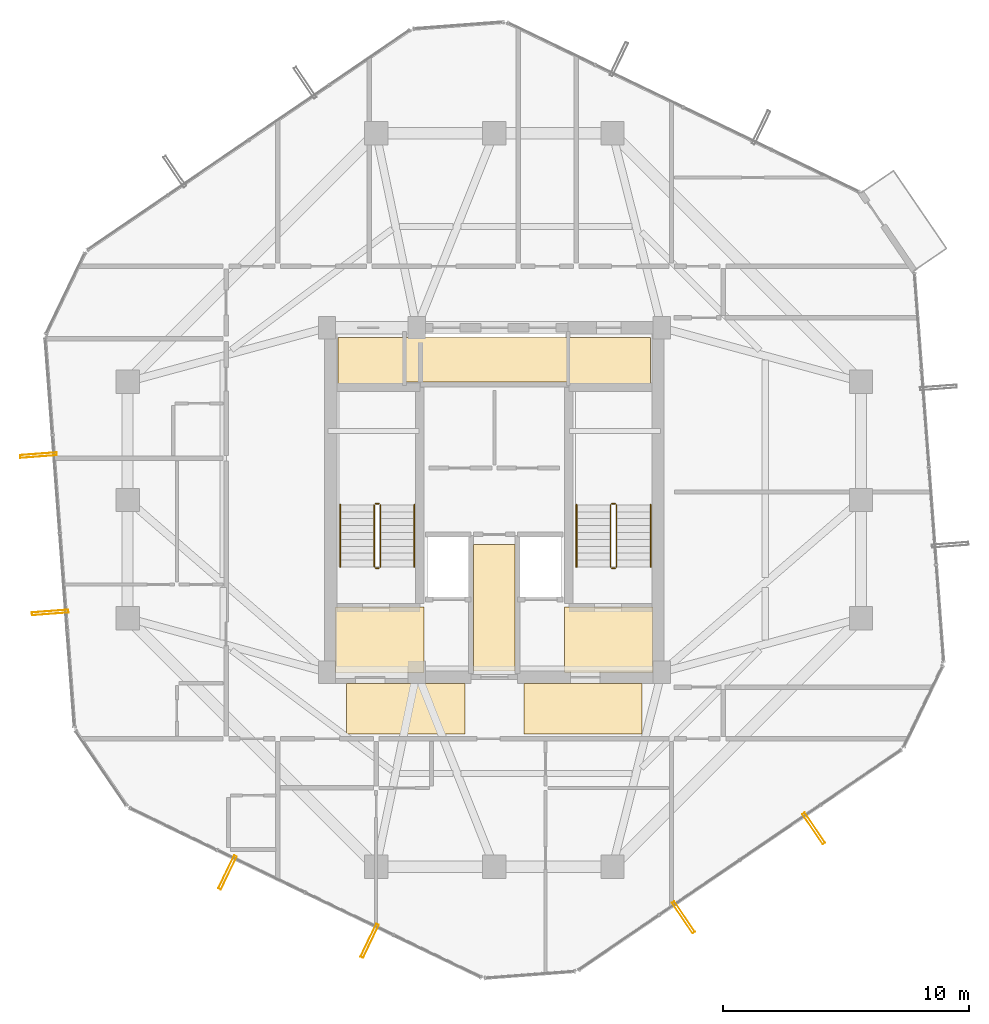
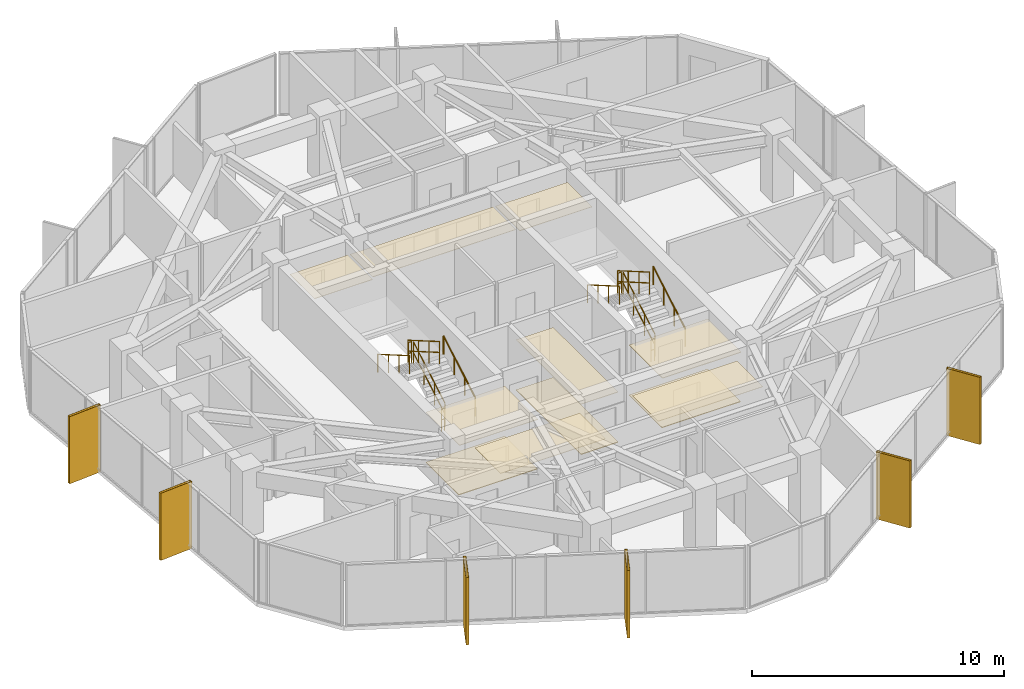
# One storey, part 33 of 34: 12 railings, 11 coverings, 6 shading devices.
"""IFC4 building model written with IfcOpenShell, lengths in metres."""

from ifc_helpers import new_model, si_unit, direction, frame, origin, origin_2d, place, context, subcontext, project, spatial, polyline, hollow_rectangle, circle, outline, extrude, material, layer, layer_set, material_profile, profile_set, type_object, element, save


model = new_model("IFC4")

# Units and contexts
model_context = context("Model", 3, precision=1e-05, world=origin(), true_north=direction((0.0, 1.0)))
body_context = subcontext(model_context, "Body", "Model", "MODEL_VIEW")
ifc_project = project(units=[si_unit("LENGTHUNIT", "METRE"), si_unit("AREAUNIT", "SQUARE_METRE"), si_unit("VOLUMEUNIT", "CUBIC_METRE"), si_unit("PLANEANGLEUNIT", "RADIAN"), si_unit("MASSUNIT", "GRAM", prefix="KILO")], contexts=[model_context])

# Site, building, storey
site_placement = place(None, origin())
site = spatial("IfcSite", under=ifc_project, at=site_placement, CompositionType="ELEMENT")
building_placement = place(site_placement, origin())
building = spatial("IfcBuilding", under=site, at=building_placement, Name="Veraguas Prism Commons", CompositionType="ELEMENT")
storey_placement = place(building_placement, frame((0.0, 0.0, 191.85009765625)))
storey = spatial("IfcBuildingStorey", under=building, at=storey_placement, Name="L54", CompositionType="ELEMENT", Elevation=191.85009765625)

# Shading devices
ifc_material_1 = material(Name="Anodised aluminium EN AW-6063 T6", Category="aluminium")
ifc_material_profile = material_profile(ifc_material_1, hollow_rectangle(XDim=0.1201171875, YDim=1.489990234375, WallThickness=0.006103515625, at=origin_2d()), Name="FIN120X1490X6")
ifc_profile_set = profile_set([ifc_material_profile], Name="Anodised aluminium EN AW-6063 T6")
shading_device_type = type_object("IfcShadingDeviceType", Name="Deep Pale-Metal Vertical Solar Fin 120x1490", PredefinedType="USERDEFINED", material=ifc_profile_set)
for number, where, z_axis, x_axis, name in (
    (1, (5.47607421875, 25.82080078125, -0.215087890625), (0.0, 0.0, 1.0), (0.074975245993, -0.997185395244, 0.0), "Vertical Pale-Metal Solar Fin L54-F3A"),
    (2, (5.956787109375, 19.4296875, -0.215087890625), (0.0, 0.0, 1.0), (0.074975245993, -0.997185395244, 0.0), "Vertical Pale-Metal Solar Fin L54-F3B"),
    (3, (13.161376953125, 8.8681640625, -0.215087890625), (0.0, 0.0, 1.0), (0.901075507561, -0.433662229937, 0.0), "Vertical Pale-Metal Solar Fin L54-F4A"),
    (4, (18.936279296875, 6.0888671875, -0.215087890625), (0.0, 0.0, 1.0), (0.901075507561, -0.433662229937, 0.0), "Vertical Pale-Metal Solar Fin L54-F4B"),
    (5, (31.68505859375, 7.047607421875, -0.215087890625), (0.0, 0.0, 1.0), (0.826097310956, 0.56352749075, 0.0), "Vertical Pale-Metal Solar Fin L54-F5A"),
    (6, (36.9794921875, 10.6591796875, -0.215087890625), (0.0, 0.0, 1.0), (0.826097310956, 0.56352749075, 0.0), "Vertical Pale-Metal Solar Fin L54-F5B"),
):
    element("IfcShadingDevice", number, at=place(storey_placement, frame(where, z_axis=z_axis, x_axis=x_axis)), inside=storey, type_object=shading_device_type, Name=name, ObjectType="FIN", PredefinedType="USERDEFINED", context=body_context, shape_type="SweptSolid", body=[
        extrude(hollow_rectangle(XDim=0.1201171875, YDim=1.489990234375, WallThickness=0.006103515625, at=origin_2d()), origin(), (0.0, 0.0, 1.0), 3.25),
    ])

# Coverings
ifc_material_2 = material(Name="Acoustic gypsum board")
ifc_layer_1 = layer(ifc_material_2, 0.02490234375, Name="Perforated Acoustic Ceiling Tile 25")
ifc_layer_set_1 = layer_set([ifc_layer_1], Name="Acoustic gypsum board")
covering_type_1 = type_object("IfcCoveringType", Name="Perforated Acoustic Ceiling Tile 25", PredefinedType="USERDEFINED", material=ifc_layer_set_1)
covering_1_placement = place(storey_placement, frame((0.0, 0.0, 2.4248046875)))
element("IfcCovering", 7, at=covering_1_placement, inside=storey, type_object=covering_type_1, Name="East Lobby Acoustic Ceiling L54", ObjectType="ACOUSTIC CEILING", PredefinedType="USERDEFINED", context=body_context, shape_type="SweptSolid", body=[
    extrude(outline(polyline([(26.85009765625, 17.0), (30.449951171875, 17.0), (30.449951171875, 19.64990234375), (26.85009765625, 19.64990234375), (26.85009765625, 17.0)])), origin(), (0.0, 0.0, 1.0), 0.025146484375),
])
ifc_material_3 = material(Name="Terrazzo stone finish", Category="masonry")
ifc_layer_2 = layer(ifc_material_3, 0.030029296875, Name="Polished Terrazzo Floor Finish 30", Category="masonry")
ifc_layer_set_2 = layer_set([ifc_layer_2], Name="Terrazzo stone finish")
covering_type_2 = type_object("IfcCoveringType", Name="Polished Terrazzo Floor Finish 30", PredefinedType="FLOORING", material=ifc_layer_set_2)
covering_2_placement = place(storey_placement, origin())
element("IfcCovering", 8, at=covering_2_placement, inside=storey, type_object=covering_type_2, Name="Terrazzo Lobby Flooring L54", PredefinedType="FLOORING", context=body_context, shape_type="SweptSolid", body=[
    extrude(outline(polyline([(23.14990234375, 17.050048828125), (24.85009765625, 17.050048828125), (24.85009765625, 22.199951171875), (23.14990234375, 22.199951171875), (23.14990234375, 17.050048828125)])), origin(), (0.0, 0.0, 1.0), 0.02978515625),
])
covering_3_placement = place(storey_placement, origin())
element("IfcCovering", 9, at=covering_3_placement, inside=storey, type_object=covering_type_2, Name="West FF Lobby Terrazzo Flooring L54", PredefinedType="FLOORING", context=body_context, shape_type="SweptSolid", body=[
    extrude(outline(polyline([(17.550048828125, 17.050048828125), (21.14990234375, 17.050048828125), (21.14990234375, 19.64990234375), (17.550048828125, 19.64990234375), (17.550048828125, 17.050048828125)])), origin(), (0.0, 0.0, 1.0), 0.02978515625),
])
covering_4_placement = place(storey_placement, origin())
element("IfcCovering", 10, at=covering_4_placement, inside=storey, type_object=covering_type_2, Name="East FF Lobby Terrazzo Flooring L54", PredefinedType="FLOORING", context=body_context, shape_type="SweptSolid", body=[
    extrude(outline(polyline([(26.85009765625, 17.050048828125), (30.449951171875, 17.050048828125), (30.449951171875, 19.64990234375), (26.85009765625, 19.64990234375), (26.85009765625, 17.050048828125)])), origin(), (0.0, 0.0, 1.0), 0.02978515625),
])

# Railings
ifc_material_4 = material(Name="Stainless steel AISI 316", Category="steel")
railing_type_1 = type_object("IfcRailingType", Name="Stair and Ramp Stainless Handrail 900", PredefinedType="HANDRAIL", material=ifc_material_4)
railing_1_placement = place(storey_placement, frame((20.75, 21.280029296875, 0.162353515625)))
element("IfcRailing", 11, at=railing_1_placement, inside=storey, type_object=railing_type_1, Name="Stair Handrail ST-01 L54-1", PredefinedType="HANDRAIL", context=body_context, shape_type="SweptSolid", body=[
    extrude(circle(Radius=0.02392578125, at=origin_2d()), frame((0.0, 0.0, 0.8759765625), z_axis=(0.0, 0.864876961378, 0.501983905795), x_axis=(-1.0, 0.0, 0.0)), (0.0, 0.0, 1.0), 2.913818359375),
    extrude(circle(Radius=0.02099609375, at=origin_2d()), origin(), (0.0, 0.0, 1.0), 0.851806640625),
    extrude(circle(Radius=0.02099609375, at=origin_2d()), frame((0.0, 0.840087890625, 0.487548828125)), (0.0, 0.0, 1.0), 0.851806640625),
    extrude(circle(Radius=0.02099609375, at=origin_2d()), frame((0.0, 1.679931640625, 0.97509765625)), (0.0, 0.0, 1.0), 0.851806640625),
    extrude(circle(Radius=0.02099609375, at=origin_2d()), frame((0.0, 2.52001953125, 1.462646484375)), (0.0, 0.0, 1.0), 0.851806640625),
])
railing_2_placement = place(storey_placement, frame((17.739990234375, 23.800048828125, 1.787353515625)))
element("IfcRailing", 12, at=railing_2_placement, inside=storey, type_object=railing_type_1, Name="Stair Handrail ST-01 L54-2", PredefinedType="HANDRAIL", context=body_context, shape_type="SweptSolid", body=[
    extrude(circle(Radius=0.02392578125, at=origin_2d()), frame((0.0, 0.0, 0.8759765625), z_axis=(0.0, -0.864876961378, 0.501983905795), x_axis=(1.0, 0.0, 0.0)), (0.0, 0.0, 1.0), 2.913818359375),
    extrude(circle(Radius=0.02099609375, at=origin_2d()), origin(), (0.0, 0.0, 1.0), 0.851806640625),
    extrude(circle(Radius=0.02099609375, at=origin_2d()), frame((0.0, -0.840087890625, 0.487548828125)), (0.0, 0.0, 1.0), 0.851806640625),
    extrude(circle(Radius=0.02099609375, at=origin_2d()), frame((0.0, -1.679931640625, 0.97509765625)), (0.0, 0.0, 1.0), 0.851806640625),
    extrude(circle(Radius=0.02099609375, at=origin_2d()), frame((0.0, -2.52001953125, 1.462646484375)), (0.0, 0.0, 1.0), 0.851806640625),
])
railing_3_placement = place(storey_placement, frame((30.35009765625, 21.280029296875, 0.162353515625)))
element("IfcRailing", 13, at=railing_3_placement, inside=storey, type_object=railing_type_1, Name="Stair Handrail ST-02 L54-1", PredefinedType="HANDRAIL", context=body_context, shape_type="SweptSolid", body=[
    extrude(circle(Radius=0.02392578125, at=origin_2d()), frame((0.0, 0.0, 0.8759765625), z_axis=(0.0, 0.864876961378, 0.501983905795), x_axis=(-1.0, 0.0, 0.0)), (0.0, 0.0, 1.0), 2.913818359375),
    extrude(circle(Radius=0.02099609375, at=origin_2d()), origin(), (0.0, 0.0, 1.0), 0.851806640625),
    extrude(circle(Radius=0.02099609375, at=origin_2d()), frame((0.0, 0.840087890625, 0.487548828125)), (0.0, 0.0, 1.0), 0.851806640625),
    extrude(circle(Radius=0.02099609375, at=origin_2d()), frame((0.0, 1.679931640625, 0.97509765625)), (0.0, 0.0, 1.0), 0.851806640625),
    extrude(circle(Radius=0.02099609375, at=origin_2d()), frame((0.0, 2.52001953125, 1.462646484375)), (0.0, 0.0, 1.0), 0.851806640625),
])
railing_4_placement = place(storey_placement, frame((27.340087890625, 23.800048828125, 1.787353515625)))
element("IfcRailing", 14, at=railing_4_placement, inside=storey, type_object=railing_type_1, Name="Stair Handrail ST-02 L54-2", PredefinedType="HANDRAIL", context=body_context, shape_type="SweptSolid", body=[
    extrude(circle(Radius=0.02392578125, at=origin_2d()), frame((0.0, 0.0, 0.8759765625), z_axis=(0.0, -0.864876961378, 0.501983905795), x_axis=(1.0, 0.0, 0.0)), (0.0, 0.0, 1.0), 2.913818359375),
    extrude(circle(Radius=0.02099609375, at=origin_2d()), origin(), (0.0, 0.0, 1.0), 0.851806640625),
    extrude(circle(Radius=0.02099609375, at=origin_2d()), frame((0.0, -0.840087890625, 0.487548828125)), (0.0, 0.0, 1.0), 0.851806640625),
    extrude(circle(Radius=0.02099609375, at=origin_2d()), frame((0.0, -1.679931640625, 0.97509765625)), (0.0, 0.0, 1.0), 0.851806640625),
    extrude(circle(Radius=0.02099609375, at=origin_2d()), frame((0.0, -2.52001953125, 1.462646484375)), (0.0, 0.0, 1.0), 0.851806640625),
])
railing_type_2 = type_object("IfcRailingType", Name="Stairwell Safety Guardrail 1100", PredefinedType="GUARDRAIL", material=ifc_material_4)
railing_5_placement = place(storey_placement, frame((19.3701171875, 21.280029296875, 0.162353515625)))
element("IfcRailing", 15, at=railing_5_placement, inside=storey, type_object=railing_type_2, Name="Stair Guard ST-01 L54-1", PredefinedType="GUARDRAIL", context=body_context, shape_type="SweptSolid", body=[
    extrude(circle(Radius=0.02392578125, at=origin_2d()), frame((0.0, 0.0, 1.076171875), z_axis=(0.0, 0.864876961378, 0.501983905795), x_axis=(-1.0, 0.0, 0.0)), (0.0, 0.0, 1.0), 2.913818359375),
    extrude(circle(Radius=0.02392578125, at=origin_2d()), frame((0.0, 0.0, 0.550048828125), z_axis=(0.0, 0.864876961378, 0.501983905795), x_axis=(-1.0, 0.0, 0.0)), (0.0, 0.0, 1.0), 2.913818359375),
    extrude(circle(Radius=0.02099609375, at=origin_2d()), origin(), (0.0, 0.0, 1.0), 1.052001953125),
    extrude(circle(Radius=0.02099609375, at=origin_2d()), frame((0.0, 0.840087890625, 0.487548828125)), (0.0, 0.0, 1.0), 1.052001953125),
    extrude(circle(Radius=0.02099609375, at=origin_2d()), frame((0.0, 1.679931640625, 0.97509765625)), (0.0, 0.0, 1.0), 1.052001953125),
    extrude(circle(Radius=0.02099609375, at=origin_2d()), frame((0.0, 2.52001953125, 1.462646484375)), (0.0, 0.0, 1.0), 1.052001953125),
])
railing_6_placement = place(storey_placement, frame((19.320068359375, 23.85009765625, 1.625)))
element("IfcRailing", 16, at=railing_6_placement, inside=storey, type_object=railing_type_2, Name="Stair Guard ST-01 L54-2", PredefinedType="GUARDRAIL", context=body_context, shape_type="SweptSolid", body=[
    extrude(circle(Radius=0.02392578125, at=origin_2d()), frame((0.0, 0.0, 1.076171875), z_axis=(-1.0, 0.0, 0.0), x_axis=(0.0, -1.0, 0.0)), (0.0, 0.0, 1.0), 0.150146484375),
    extrude(circle(Radius=0.02392578125, at=origin_2d()), frame((0.0, 0.0, 0.550048828125), z_axis=(-1.0, 0.0, 0.0), x_axis=(0.0, -1.0, 0.0)), (0.0, 0.0, 1.0), 0.150146484375),
    extrude(circle(Radius=0.02099609375, at=origin_2d()), origin(), (0.0, 0.0, 1.0), 1.052001953125),
    extrude(circle(Radius=0.02099609375, at=origin_2d()), frame((-0.150146484375, 0.0, 0.0)), (0.0, 0.0, 1.0), 1.052001953125),
])
railing_7_placement = place(storey_placement, frame((19.1201171875, 23.800048828125, 1.787353515625)))
element("IfcRailing", 17, at=railing_7_placement, inside=storey, type_object=railing_type_2, Name="Stair Guard ST-01 L54-3", PredefinedType="GUARDRAIL", context=body_context, shape_type="SweptSolid", body=[
    extrude(circle(Radius=0.02392578125, at=origin_2d()), frame((0.0, 0.0, 1.076171875), z_axis=(0.0, -0.864876961378, 0.501983905795), x_axis=(1.0, 0.0, 0.0)), (0.0, 0.0, 1.0), 2.913818359375),
    extrude(circle(Radius=0.02392578125, at=origin_2d()), frame((0.0, 0.0, 0.550048828125), z_axis=(0.0, -0.864876961378, 0.501983905795), x_axis=(1.0, 0.0, 0.0)), (0.0, 0.0, 1.0), 2.913818359375),
    extrude(circle(Radius=0.02099609375, at=origin_2d()), origin(), (0.0, 0.0, 1.0), 1.052001953125),
    extrude(circle(Radius=0.02099609375, at=origin_2d()), frame((0.0, -0.840087890625, 0.487548828125)), (0.0, 0.0, 1.0), 1.052001953125),
    extrude(circle(Radius=0.02099609375, at=origin_2d()), frame((0.0, -1.679931640625, 0.97509765625)), (0.0, 0.0, 1.0), 1.052001953125),
    extrude(circle(Radius=0.02099609375, at=origin_2d()), frame((0.0, -2.52001953125, 1.462646484375)), (0.0, 0.0, 1.0), 1.052001953125),
])
railing_8_placement = place(storey_placement, frame((19.320068359375, 21.22998046875, 0.0)))
element("IfcRailing", 18, at=railing_8_placement, inside=storey, type_object=railing_type_2, Name="Stair Guard ST-01 L54-4", PredefinedType="GUARDRAIL", context=body_context, shape_type="SweptSolid", body=[
    extrude(circle(Radius=0.02392578125, at=origin_2d()), frame((0.0, 0.0, 1.076171875), z_axis=(-1.0, 0.0, 0.0), x_axis=(0.0, -1.0, 0.0)), (0.0, 0.0, 1.0), 0.150146484375),
    extrude(circle(Radius=0.02392578125, at=origin_2d()), frame((0.0, 0.0, 0.550048828125), z_axis=(-1.0, 0.0, 0.0), x_axis=(0.0, -1.0, 0.0)), (0.0, 0.0, 1.0), 0.150146484375),
    extrude(circle(Radius=0.02099609375, at=origin_2d()), origin(), (0.0, 0.0, 1.0), 1.052001953125),
    extrude(circle(Radius=0.02099609375, at=origin_2d()), frame((-0.150146484375, 0.0, 0.0)), (0.0, 0.0, 1.0), 1.052001953125),
])
railing_9_placement = place(storey_placement, frame((28.969970703125, 21.280029296875, 0.162353515625)))
element("IfcRailing", 19, at=railing_9_placement, inside=storey, type_object=railing_type_2, Name="Stair Guard ST-02 L54-1", PredefinedType="GUARDRAIL", context=body_context, shape_type="SweptSolid", body=[
    extrude(circle(Radius=0.02392578125, at=origin_2d()), frame((0.0, 0.0, 1.076171875), z_axis=(0.0, 0.864876961378, 0.501983905795), x_axis=(-1.0, 0.0, 0.0)), (0.0, 0.0, 1.0), 2.913818359375),
    extrude(circle(Radius=0.02392578125, at=origin_2d()), frame((0.0, 0.0, 0.550048828125), z_axis=(0.0, 0.864876961378, 0.501983905795), x_axis=(-1.0, 0.0, 0.0)), (0.0, 0.0, 1.0), 2.913818359375),
    extrude(circle(Radius=0.02099609375, at=origin_2d()), origin(), (0.0, 0.0, 1.0), 1.052001953125),
    extrude(circle(Radius=0.02099609375, at=origin_2d()), frame((0.0, 0.840087890625, 0.487548828125)), (0.0, 0.0, 1.0), 1.052001953125),
    extrude(circle(Radius=0.02099609375, at=origin_2d()), frame((0.0, 1.679931640625, 0.97509765625)), (0.0, 0.0, 1.0), 1.052001953125),
    extrude(circle(Radius=0.02099609375, at=origin_2d()), frame((0.0, 2.52001953125, 1.462646484375)), (0.0, 0.0, 1.0), 1.052001953125),
])
railing_10_placement = place(storey_placement, frame((28.919921875, 23.85009765625, 1.625)))
element("IfcRailing", 20, at=railing_10_placement, inside=storey, type_object=railing_type_2, Name="Stair Guard ST-02 L54-2", PredefinedType="GUARDRAIL", context=body_context, shape_type="SweptSolid", body=[
    extrude(circle(Radius=0.02392578125, at=origin_2d()), frame((0.0, 0.0, 1.076171875), z_axis=(-1.0, 0.0, 0.0), x_axis=(0.0, -1.0, 0.0)), (0.0, 0.0, 1.0), 0.14990234375),
    extrude(circle(Radius=0.02392578125, at=origin_2d()), frame((0.0, 0.0, 0.550048828125), z_axis=(-1.0, 0.0, 0.0), x_axis=(0.0, -1.0, 0.0)), (0.0, 0.0, 1.0), 0.14990234375),
    extrude(circle(Radius=0.02099609375, at=origin_2d()), origin(), (0.0, 0.0, 1.0), 1.052001953125),
    extrude(circle(Radius=0.02099609375, at=origin_2d()), frame((-0.14990234375, 0.0, 0.0)), (0.0, 0.0, 1.0), 1.052001953125),
])
railing_11_placement = place(storey_placement, frame((28.719970703125, 23.800048828125, 1.787353515625)))
element("IfcRailing", 21, at=railing_11_placement, inside=storey, type_object=railing_type_2, Name="Stair Guard ST-02 L54-3", PredefinedType="GUARDRAIL", context=body_context, shape_type="SweptSolid", body=[
    extrude(circle(Radius=0.02392578125, at=origin_2d()), frame((0.0, 0.0, 1.076171875), z_axis=(0.0, -0.864876961378, 0.501983905795), x_axis=(1.0, 0.0, 0.0)), (0.0, 0.0, 1.0), 2.913818359375),
    extrude(circle(Radius=0.02392578125, at=origin_2d()), frame((0.0, 0.0, 0.550048828125), z_axis=(0.0, -0.864876961378, 0.501983905795), x_axis=(1.0, 0.0, 0.0)), (0.0, 0.0, 1.0), 2.913818359375),
    extrude(circle(Radius=0.02099609375, at=origin_2d()), origin(), (0.0, 0.0, 1.0), 1.052001953125),
    extrude(circle(Radius=0.02099609375, at=origin_2d()), frame((0.0, -0.840087890625, 0.487548828125)), (0.0, 0.0, 1.0), 1.052001953125),
    extrude(circle(Radius=0.02099609375, at=origin_2d()), frame((0.0, -1.679931640625, 0.97509765625)), (0.0, 0.0, 1.0), 1.052001953125),
    extrude(circle(Radius=0.02099609375, at=origin_2d()), frame((0.0, -2.52001953125, 1.462646484375)), (0.0, 0.0, 1.0), 1.052001953125),
])
railing_12_placement = place(storey_placement, frame((28.919921875, 21.22998046875, 0.0)))
element("IfcRailing", 22, at=railing_12_placement, inside=storey, type_object=railing_type_2, Name="Stair Guard ST-02 L54-4", PredefinedType="GUARDRAIL", context=body_context, shape_type="SweptSolid", body=[
    extrude(circle(Radius=0.02392578125, at=origin_2d()), frame((0.0, 0.0, 1.076171875), z_axis=(-1.0, 0.0, 0.0), x_axis=(0.0, -1.0, 0.0)), (0.0, 0.0, 1.0), 0.14990234375),
    extrude(circle(Radius=0.02392578125, at=origin_2d()), frame((0.0, 0.0, 0.550048828125), z_axis=(-1.0, 0.0, 0.0), x_axis=(0.0, -1.0, 0.0)), (0.0, 0.0, 1.0), 0.14990234375),
    extrude(circle(Radius=0.02099609375, at=origin_2d()), origin(), (0.0, 0.0, 1.0), 1.052001953125),
    extrude(circle(Radius=0.02099609375, at=origin_2d()), frame((-0.14990234375, 0.0, 0.0)), (0.0, 0.0, 1.0), 1.052001953125),
])

# Coverings
ifc_layer_3 = layer(ifc_material_2, 0.02001953125, Name="Suspended Gypsum Ceiling 20")
ifc_layer_set_3 = layer_set([ifc_layer_3], Name="Acoustic gypsum board")
covering_type_3 = type_object("IfcCoveringType", Name="Suspended Gypsum Ceiling 20", PredefinedType="CEILING", material=ifc_layer_set_3)
covering_5_placement = place(storey_placement, frame((0.0, 0.0, 2.429931640625)))
element("IfcCovering", 23, at=covering_5_placement, inside=storey, type_object=covering_type_3, Name="West Lobby Suspended Gypsum Ceiling L54", PredefinedType="CEILING", context=body_context, shape_type="SweptSolid", body=[
    extrude(outline(polyline([(17.550048828125, 17.0), (21.14990234375, 17.0), (21.14990234375, 19.64990234375), (17.550048828125, 19.64990234375), (17.550048828125, 17.0)])), origin(), (0.0, 0.0, 1.0), 0.02001953125),
])
covering_6_placement = place(storey_placement, frame((0.0, 0.0, 2.429931640625)))
element("IfcCovering", 24, at=covering_6_placement, inside=storey, type_object=covering_type_3, Name="Core Lobby Acoustic Ceiling L54-1", PredefinedType="CEILING", context=body_context, shape_type="SweptSolid", body=[
    extrude(outline(polyline([(18.0, 14.5), (22.800048828125, 14.5), (22.800048828125, 16.550048828125), (18.0, 16.550048828125), (18.0, 14.5)])), origin(), (0.0, 0.0, 1.0), 0.02001953125),
])
covering_7_placement = place(storey_placement, frame((0.0, 0.0, 2.429931640625)))
element("IfcCovering", 25, at=covering_7_placement, inside=storey, type_object=covering_type_3, Name="Core Lobby Acoustic Ceiling L54-2", PredefinedType="CEILING", context=body_context, shape_type="SweptSolid", body=[
    extrude(outline(polyline([(25.199951171875, 14.5), (30.0, 14.5), (30.0, 16.550048828125), (25.199951171875, 16.550048828125), (25.199951171875, 14.5)])), origin(), (0.0, 0.0, 1.0), 0.02001953125),
])
covering_8_placement = place(storey_placement, frame((0.0, 0.0, 2.429931640625)))
element("IfcCovering", 26, at=covering_8_placement, inside=storey, type_object=covering_type_3, Name="Core Lobby Acoustic Ceiling L54-3", PredefinedType="CEILING", context=body_context, shape_type="SweptSolid", body=[
    extrude(outline(polyline([(23.14990234375, 17.050048828125), (24.85009765625, 17.050048828125), (24.85009765625, 22.199951171875), (23.14990234375, 22.199951171875), (23.14990234375, 17.050048828125)])), origin(), (0.0, 0.0, 1.0), 0.02001953125),
])
covering_9_placement = place(storey_placement, frame((0.0, 0.0, 2.429931640625)))
element("IfcCovering", 27, at=covering_9_placement, inside=storey, type_object=covering_type_3, Name="Core Lobby Acoustic Ceiling L54-4", PredefinedType="CEILING", context=body_context, shape_type="SweptSolid", body=[
    extrude(outline(polyline([(17.64990234375, 28.64990234375), (20.300048828125, 28.64990234375), (20.300048828125, 30.60009765625), (17.64990234375, 30.60009765625), (17.64990234375, 28.64990234375)])), origin(), (0.0, 0.0, 1.0), 0.02001953125),
])
covering_10_placement = place(storey_placement, frame((0.0, 0.0, 2.429931640625)))
element("IfcCovering", 28, at=covering_10_placement, inside=storey, type_object=covering_type_3, Name="Core Lobby Acoustic Ceiling L54-5", PredefinedType="CEILING", context=body_context, shape_type="SweptSolid", body=[
    extrude(outline(polyline([(27.050048828125, 28.64990234375), (30.35009765625, 28.64990234375), (30.35009765625, 30.60009765625), (27.050048828125, 30.60009765625), (27.050048828125, 28.64990234375)])), origin(), (0.0, 0.0, 1.0), 0.02001953125),
])
covering_11_placement = place(storey_placement, frame((0.0, 0.0, 2.429931640625)))
element("IfcCovering", 29, at=covering_11_placement, inside=storey, type_object=covering_type_3, Name="Core Lobby Acoustic Ceiling L54-6", PredefinedType="CEILING", context=body_context, shape_type="SweptSolid", body=[
    extrude(outline(polyline([(20.39990234375, 28.800048828125), (26.949951171875, 28.800048828125), (26.949951171875, 30.60009765625), (20.39990234375, 30.60009765625), (20.39990234375, 28.800048828125)])), origin(), (0.0, 0.0, 1.0), 0.02001953125),
])

save(model, "model.ifc")
